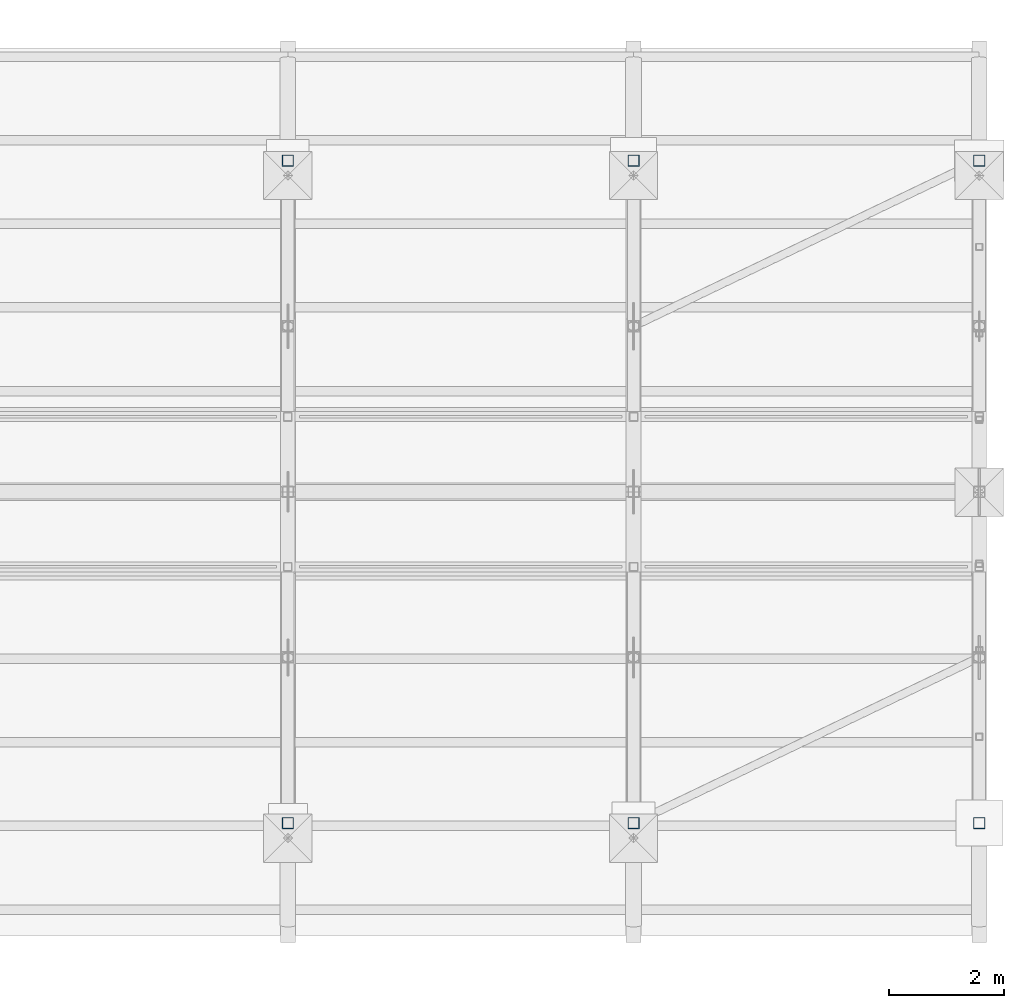
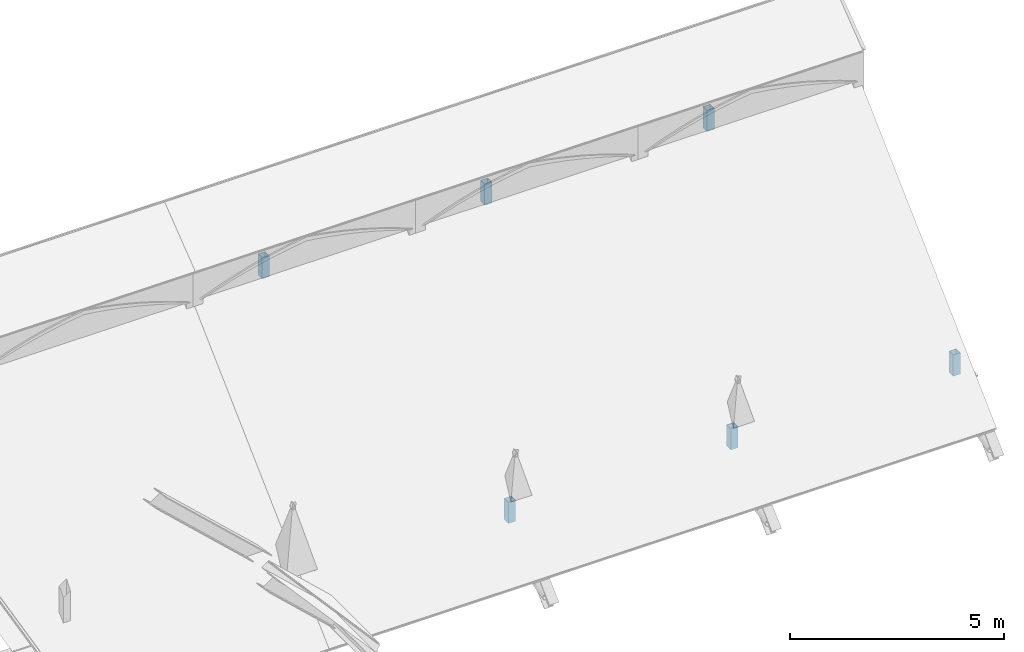
# One storey, part 14 of 33: 6 members.
"""IFC4 building model written with IfcOpenShell, lengths in metres."""

from ifc_helpers import new_model, si_unit, direction, frame, origin, origin_2d, place, context, subcontext, project, spatial, hollow_rectangle, extrude, material, material_profile, profile_set, type_object, element, save


model = new_model("IFC4")

# Units and contexts
model_context = context("Model", 3, precision=1e-05, world=origin(), true_north=direction((0.0, 1.0)))
body_context = subcontext(model_context, "Body", "Model", "MODEL_VIEW")
ifc_project = project(units=[si_unit("LENGTHUNIT", "METRE"), si_unit("AREAUNIT", "SQUARE_METRE"), si_unit("VOLUMEUNIT", "CUBIC_METRE"), si_unit("PLANEANGLEUNIT", "RADIAN"), si_unit("MASSUNIT", "GRAM", prefix="KILO")], contexts=[model_context])

# Site, building, storey
site_placement = place(None, origin())
site = spatial("IfcSite", under=ifc_project, at=site_placement, CompositionType="ELEMENT")
building_placement = place(site_placement, origin())
building = spatial("IfcBuilding", under=site, at=building_placement, Name="Cumevento Cable Car Station", CompositionType="ELEMENT")
storey_placement = place(building_placement, frame((0.0, 0.0, 22.5)))
storey = spatial("IfcBuildingStorey", under=building, at=storey_placement, Name="RF", CompositionType="ELEMENT", Elevation=22.5)

# Members
ifc_material = material(Name="Steel ASTM A572 Grade 50", Category="steel")
ifc_material_profile = material_profile(ifc_material, hollow_rectangle(XDim=0.199951171875, YDim=0.199951171875, WallThickness=0.012451171875, at=origin_2d()), Name="HSS200x200x12.5")
ifc_profile_set = profile_set([ifc_material_profile], Name="Steel ASTM A572 Grade 50")
member_type = type_object("IfcMemberType", Name="Framing Post TD-03 HSS200x200x12.5", PredefinedType="POST", material=ifc_profile_set)
for number, where, z_axis, x_axis, name in (
    (1, (106.0, 45.0, 0.0), (0.0, 0.0, 1.0), (1.0, 0.0, 0.0), "Boarding Hall Truss Heel Post #158"),
    (2, (106.0, 56.5, 0.0), (0.0, 0.0, 1.0), (1.0, 0.0, 0.0), "Boarding Hall Truss Heel Post #159"),
    (3, (112.0, 45.0, 0.0), (0.0, 0.0, 1.0), (1.0, 0.0, 0.0), "Boarding Hall Truss Heel Post #181"),
    (4, (112.0, 56.5, 0.0), (0.0, 0.0, 1.0), (1.0, 0.0, 0.0), "Boarding Hall Truss Heel Post #182"),
    (5, (118.0, 45.0, 0.0), (0.0, 0.0, 1.0), (1.0, 0.0, 0.0), "Boarding Hall Truss Heel Post #204"),
    (6, (118.0, 56.5, 0.0), (0.0, 0.0, 1.0), (1.0, 0.0, 0.0), "Boarding Hall Truss Heel Post #205"),
):
    element("IfcMember", number, at=place(storey_placement, frame(where, z_axis=z_axis, x_axis=x_axis)), inside=storey, type_object=member_type, Name=name, PredefinedType="POST", context=body_context, shape_type="SweptSolid", body=[
        extrude(hollow_rectangle(XDim=0.199951171875, YDim=0.199951171875, WallThickness=0.012451171875, at=origin_2d()), origin(), (0.0, 0.0, 1.0), 0.60009765625),
    ])

save(model, "model.ifc")
